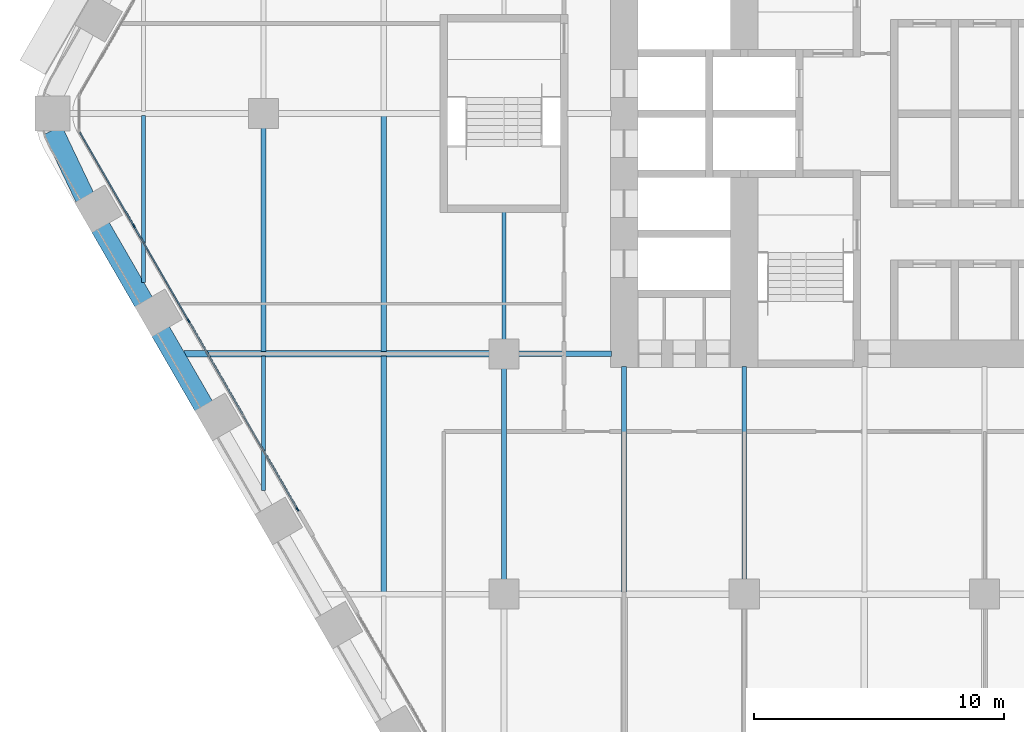
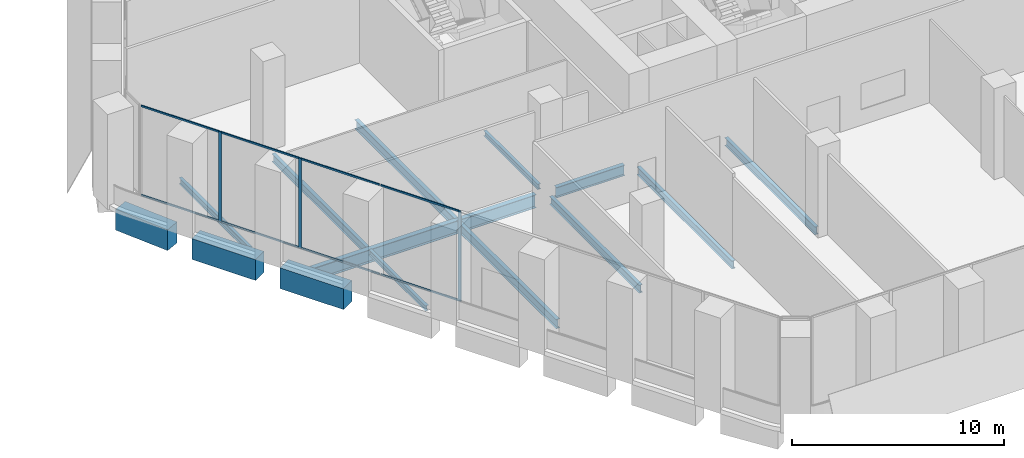
# One storey, part 3 of 29: 14 beams, 11 members, 1 element without a shape of its own.
"""IFC4 building model written with IfcOpenShell, lengths in metres."""

from ifc_helpers import new_model, si_unit, direction, frame, origin, origin_2d, place, context, subcontext, project, spatial, rectangle, i_section, extrude, material, material_profile, profile_set, type_object, element, aggregate, save


model = new_model("IFC4")

# Units and contexts
model_context = context("Model", 3, precision=1e-05, world=origin(), true_north=direction((0.0, 1.0)))
body_context = subcontext(model_context, "Body", "Model", "MODEL_VIEW")
ifc_project = project(units=[si_unit("LENGTHUNIT", "METRE"), si_unit("AREAUNIT", "SQUARE_METRE"), si_unit("VOLUMEUNIT", "CUBIC_METRE"), si_unit("PLANEANGLEUNIT", "RADIAN"), si_unit("MASSUNIT", "GRAM", prefix="KILO")], contexts=[model_context])

# Site, building, storey
site_placement = place(None, origin())
site = spatial("IfcSite", under=ifc_project, at=site_placement, CompositionType="ELEMENT")
building_placement = place(site_placement, origin())
building = spatial("IfcBuilding", under=site, at=building_placement, Name="Kolab Exchange Tower", CompositionType="ELEMENT")
storey_placement = place(building_placement, frame((0.0, 0.0, 33.39990234375)))
storey = spatial("IfcBuildingStorey", under=building, at=storey_placement, Name="L06", CompositionType="ELEMENT", Elevation=33.39990234375)

# Beams
ifc_material_1 = material(Name="Steel S355", Category="steel")
ifc_material_profile_1 = material_profile(ifc_material_1, i_section(OverallWidth=0.1650390625, OverallDepth=0.31005859375, WebThickness=0.005859375, FlangeThickness=0.009765625, at=origin_2d()), Name="W310X39")
ifc_profile_set_1 = profile_set([ifc_material_profile_1], Name="Steel S355")
beam_type_1 = type_object("IfcBeamType", Name="FLOOR BEAM W310X39", PredefinedType="BEAM", material=ifc_profile_set_1)
beam_1_placement = place(storey_placement, frame((-28.800048828125, -15.067626953125, -0.40478515625), z_axis=(0.0, 1.0, 0.0), x_axis=(-1.0, 0.0, 0.0)))
element("IfcBeam", 1, at=beam_1_placement, inside=storey, type_object=beam_type_1, Name="beam/L06/fr/002", PredefinedType="BEAM", context=body_context, shape_type="SweptSolid", body=[
    extrude(i_section(OverallWidth=0.1650390625, OverallDepth=0.31005859375, WebThickness=0.005859375, FlangeThickness=0.009765625, at=origin_2d()), origin(), (0.0, 0.0, 1.0), 5.3740234375),
])
beam_2_placement = place(storey_placement, frame((-19.199951171875, -9.0400390625, -0.40478515625), z_axis=(0.0, 1.0, 0.0), x_axis=(-1.0, 0.0, 0.0)))
element("IfcBeam", 2, at=beam_2_placement, inside=storey, type_object=beam_type_1, Name="beam/L06/fr/014", PredefinedType="BEAM", context=body_context, shape_type="SweptSolid", body=[
    extrude(i_section(OverallWidth=0.1650390625, OverallDepth=0.31005859375, WebThickness=0.005859375, FlangeThickness=0.009765625, at=origin_2d()), origin(), (0.0, 0.0, 1.0), 5.130126953125),
])
ifc_material_profile_2 = material_profile(ifc_material_1, i_section(OverallWidth=0.1708984375, OverallDepth=0.35498046875, WebThickness=0.007080078125, FlangeThickness=0.01171875, at=origin_2d()), Name="W360X51")
ifc_profile_set_2 = profile_set([ifc_material_profile_2], Name="Steel S355")
beam_type_2 = type_object("IfcBeamType", Name="FLOOR BEAM W360X51", PredefinedType="BEAM", material=ifc_profile_set_2)
beam_3_placement = place(storey_placement, frame((-33.60009765625, -6.75390625, -0.427490234375), z_axis=(0.0, 1.0, 0.0), x_axis=(-1.0, 0.0, 0.0)))
element("IfcBeam", 3, at=beam_3_placement, inside=storey, type_object=beam_type_2, Name="beam/L06/fr/000", PredefinedType="BEAM", context=body_context, shape_type="SweptSolid", body=[
    extrude(i_section(OverallWidth=0.1708984375, OverallDepth=0.35498046875, WebThickness=0.007080078125, FlangeThickness=0.01171875, at=origin_2d()), origin(), (0.0, 0.0, 1.0), 6.679931640625),
])
ifc_material_profile_3 = material_profile(ifc_material_1, i_section(OverallWidth=0.18994140625, OverallDepth=0.45703125, WebThickness=0.009033203125, FlangeThickness=0.014404296875, at=origin_2d()), Name="W460X74")
ifc_profile_set_3 = profile_set([ifc_material_profile_3], Name="Steel S355")
beam_type_3 = type_object("IfcBeamType", Name="FLOOR BEAM W460X74", PredefinedType="BEAM", material=ifc_profile_set_3)
beam_4_placement = place(storey_placement, frame((-28.800048828125, -9.506591796875, -0.478515625), z_axis=(0.0, 1.0, 0.0), x_axis=(-1.0, 0.0, 0.0)))
element("IfcBeam", 4, at=beam_4_placement, inside=storey, type_object=beam_type_3, Name="beam/L06/fr/003", PredefinedType="BEAM", context=body_context, shape_type="SweptSolid", body=[
    extrude(i_section(OverallWidth=0.18994140625, OverallDepth=0.45703125, WebThickness=0.009033203125, FlangeThickness=0.014404296875, at=origin_2d()), origin(), (0.0, 0.0, 1.0), 8.946533203125),
])
beam_5_placement = place(storey_placement, frame((-19.199951171875, -18.639892578125, -0.478515625), z_axis=(0.0, 1.0, 0.0), x_axis=(-1.0, 0.0, 0.0)))
element("IfcBeam", 5, at=beam_5_placement, inside=storey, type_object=beam_type_3, Name="beam/L06/fr/013", PredefinedType="BEAM", context=body_context, shape_type="SweptSolid", body=[
    extrude(i_section(OverallWidth=0.18994140625, OverallDepth=0.45703125, WebThickness=0.009033203125, FlangeThickness=0.014404296875, at=origin_2d()), origin(), (0.0, 0.0, 1.0), 8.47998046875),
])
beam_6_placement = place(storey_placement, frame((-14.39990234375, -19.113037109375, -0.478515625), z_axis=(0.0, 1.0, 0.0), x_axis=(-1.0, 0.0, 0.0)))
element("IfcBeam", 6, at=beam_6_placement, inside=storey, type_object=beam_type_3, Name="beam/L06/fr/019", PredefinedType="BEAM", context=body_context, shape_type="SweptSolid", body=[
    extrude(i_section(OverallWidth=0.18994140625, OverallDepth=0.45703125, WebThickness=0.009033203125, FlangeThickness=0.014404296875, at=origin_2d()), origin(), (0.0, 0.0, 1.0), 9.0029296875),
])
beam_7_placement = place(storey_placement, frame((-9.60009765625, -18.639892578125, -0.478515625), z_axis=(0.0, 1.0, 0.0), x_axis=(-1.0, 0.0, 0.0)))
element("IfcBeam", 7, at=beam_7_placement, inside=storey, type_object=beam_type_3, Name="beam/L06/fr/023", PredefinedType="BEAM", context=body_context, shape_type="SweptSolid", body=[
    extrude(i_section(OverallWidth=0.18994140625, OverallDepth=0.45703125, WebThickness=0.009033203125, FlangeThickness=0.014404296875, at=origin_2d()), origin(), (0.0, 0.0, 1.0), 8.52978515625),
])
ifc_material_profile_4 = material_profile(ifc_material_1, i_section(OverallWidth=0.208984375, OverallDepth=0.532958984375, WebThickness=0.01025390625, FlangeThickness=0.015625, at=origin_2d()), Name="W530X92")
ifc_profile_set_4 = profile_set([ifc_material_profile_4], Name="Steel S355")
beam_type_4 = type_object("IfcBeamType", Name="FLOOR BEAM W530X92", PredefinedType="BEAM", material=ifc_profile_set_4)
beam_8_placement = place(storey_placement, frame((-24.0, -19.1259765625, -0.516357421875), z_axis=(0.0, 1.0, 0.0), x_axis=(-1.0, 0.0, 0.0)))
element("IfcBeam", 8, at=beam_8_placement, inside=storey, type_object=beam_type_4, Name="beam/L06/fr/007", PredefinedType="BEAM", context=body_context, shape_type="SweptSolid", body=[
    extrude(i_section(OverallWidth=0.208984375, OverallDepth=0.532958984375, WebThickness=0.01025390625, FlangeThickness=0.015625, at=origin_2d()), origin(), (0.0, 0.0, 1.0), 9.432373046875),
])
beam_9_placement = place(storey_placement, frame((-24.0, -9.506591796875, -0.516357421875), z_axis=(0.0, 1.0, 0.0), x_axis=(-1.0, 0.0, 0.0)))
element("IfcBeam", 9, at=beam_9_placement, inside=storey, type_object=beam_type_4, Name="beam/L06/fr/008", PredefinedType="BEAM", context=body_context, shape_type="SweptSolid", body=[
    extrude(i_section(OverallWidth=0.208984375, OverallDepth=0.532958984375, WebThickness=0.01025390625, FlangeThickness=0.015625, at=origin_2d()), origin(), (0.0, 0.0, 1.0), 9.4326171875),
])
ifc_material_profile_5 = material_profile(ifc_material_1, i_section(OverallWidth=0.22802734375, OverallDepth=0.60791015625, WebThickness=0.01123046875, FlangeThickness=0.017333984375, at=origin_2d()), Name="W610X113")
ifc_profile_set_5 = profile_set([ifc_material_profile_5], Name="Steel S355")
beam_type_5 = type_object("IfcBeamType", Name="FLOOR GIRDER W610X113", PredefinedType="BEAM", material=ifc_profile_set_5)
beam_10_placement = place(storey_placement, frame((-18.639892578125, -9.60009765625, -0.553955078125), z_axis=(1.0, 0.0, 0.0), x_axis=(0.0, 1.0, 0.0)))
element("IfcBeam", 10, at=beam_10_placement, inside=storey, type_object=beam_type_5, Name="beam/L06/gd/007", PredefinedType="BEAM", context=body_context, shape_type="SweptSolid", body=[
    extrude(i_section(OverallWidth=0.22802734375, OverallDepth=0.60791015625, WebThickness=0.01123046875, FlangeThickness=0.017333984375, at=origin_2d()), origin(), (0.0, 0.0, 1.0), 3.72998046875),
])
ifc_material_profile_6 = material_profile(ifc_material_1, i_section(OverallWidth=0.26708984375, OverallDepth=0.761962890625, WebThickness=0.014404296875, FlangeThickness=0.021484375, at=origin_2d()), Name="W760X173")
ifc_profile_set_6 = profile_set([ifc_material_profile_6], Name="Steel S355")
beam_type_6 = type_object("IfcBeamType", Name="FLOOR GIRDER W760X173", PredefinedType="BEAM", material=ifc_profile_set_6)
beam_11_placement = place(storey_placement, frame((-31.9736328125, -9.60009765625, -0.630859375), z_axis=(1.0, 0.0, 0.0), x_axis=(0.0, 1.0, 0.0)))
element("IfcBeam", 11, at=beam_11_placement, inside=storey, type_object=beam_type_6, Name="beam/L06/gd/001", PredefinedType="BEAM", context=body_context, shape_type="SweptSolid", body=[
    extrude(i_section(OverallWidth=0.26708984375, OverallDepth=0.761962890625, WebThickness=0.014404296875, FlangeThickness=0.021484375, at=origin_2d()), origin(), (0.0, 0.0, 1.0), 12.213623046875),
])
ifc_material_2 = material(Name="Concrete C80/95", Category="concrete")
ifc_material_profile_7 = material_profile(ifc_material_2, rectangle(XDim=0.800048828125, YDim=1.199951171875, at=origin_2d()), Name="RC800X1200")
ifc_profile_set_7 = profile_set([ifc_material_profile_7], Name="Concrete C80/95")
beam_type_7 = type_object("IfcBeamType", Name="SPANDREL BEAM 800X1200 C80/95", PredefinedType="BEAM", material=ifc_profile_set_7)
beam_12_placement = place(storey_placement, frame((-31.18359375, -11.69921875, -0.849853515625), z_axis=(-0.499979528911, 0.866037222451, 0.0), x_axis=(-0.866037222451, -0.499979528911, 0.0)))
element("IfcBeam", 12, at=beam_12_placement, inside=storey, type_object=beam_type_7, Name="beam/L06/sp/F5-06", PredefinedType="BEAM", context=body_context, shape_type="SweptSolid", body=[
    extrude(rectangle(XDim=0.800048828125, YDim=1.199951171875, at=origin_2d()), origin(), (0.0, 0.0, 1.0), 3.480224609375),
])
beam_13_placement = place(storey_placement, frame((-33.58349609375, -7.542236328125, -0.849853515625), z_axis=(-0.500009906705, 0.86601968407, 0.0), x_axis=(-0.86601968407, -0.500009906705, 0.0)))
element("IfcBeam", 13, at=beam_13_placement, inside=storey, type_object=beam_type_7, Name="beam/L06/sp/F5-07", PredefinedType="BEAM", context=body_context, shape_type="SweptSolid", body=[
    extrude(rectangle(XDim=0.800048828125, YDim=1.199951171875, at=origin_2d()), origin(), (0.0, 0.0, 1.0), 3.47998046875),
])
beam_14_placement = place(storey_placement, frame((-35.93798828125, -3.35888671875, -0.849853515625), z_axis=(-0.429555669245, 0.903040379507, 0.0), x_axis=(-0.903040379507, -0.429555669245, 0.0)))
element("IfcBeam", 14, at=beam_14_placement, inside=storey, type_object=beam_type_7, Name="beam/L06/sp/F5-08", PredefinedType="BEAM", context=body_context, shape_type="SweptSolid", body=[
    extrude(rectangle(XDim=0.800048828125, YDim=1.199951171875, at=origin_2d()), origin(), (0.0, 0.0, 1.0), 2.984375),
])

# Curtain wall, members
ifc_material_3 = material(Name="Aluminium EN AW-6063 T6", Category="aluminium")
curtain_wall_type = type_object("IfcCurtainWallType", Name="UNITISED LOW ZONE CURTAIN WALL", PredefinedType="NOTDEFINED", material=ifc_material_3)
curtain_wall_placement = place(storey_placement, origin())
curtain_wall = element("IfcCurtainWall", 15, at=curtain_wall_placement, inside=storey, type_object=curtain_wall_type, Name="cw/L06/F5-2", PredefinedType="NOTDEFINED")
ifc_material_profile_8 = material_profile(ifc_material_3, rectangle(XDim=0.06005859375, YDim=0.159912109375, at=origin_2d()), Name="RECT 60X160")
ifc_profile_set_8 = profile_set([ifc_material_profile_8], Name="Aluminium EN AW-6063 T6")
member_type_1 = type_object("IfcMemberType", Name="UNITISED LOW ZONE MULLION 60 X 160", PredefinedType="MULLION", material=ifc_profile_set_8)
member_1_placement = place(storey_placement, frame((-27.44677734375, -15.811767578125, 0.0), z_axis=(0.0, 0.0, 1.0), x_axis=(-0.866025422102, -0.499999968274, 0.0)))
member_1 = element("IfcMember", 16, at=member_1_placement, type_object=member_type_1, Name="CW1 mullion 1", PredefinedType="MULLION", context=body_context, shape_type="SweptSolid", body=[
    extrude(rectangle(XDim=0.06005859375, YDim=0.159912109375, at=origin_2d()), origin(), (0.0, 0.0, 1.0), 5.2001953125),
])
member_2_placement = place(storey_placement, frame((-31.798583984375, -8.27392578125, 0.0), z_axis=(0.0, 0.0, 1.0), x_axis=(-0.866025422102, -0.499999968274, 0.0)))
member_2 = element("IfcMember", 17, at=member_2_placement, type_object=member_type_1, Name="CW1 mullion 3", PredefinedType="MULLION", context=body_context, shape_type="SweptSolid", body=[
    extrude(rectangle(XDim=0.06005859375, YDim=0.159912109375, at=origin_2d()), origin(), (0.0, 0.0, 1.0), 5.2001953125),
])
member_3_placement = place(storey_placement, frame((-33.982177734375, -4.491943359375, 0.0), z_axis=(0.0, 0.0, 1.0), x_axis=(-0.866025422102, -0.499999968274, 0.0)))
member_3 = element("IfcMember", 18, at=member_3_placement, type_object=member_type_1, Name="CW1 mullion 4", PredefinedType="MULLION", context=body_context, shape_type="SweptSolid", body=[
    extrude(rectangle(XDim=0.06005859375, YDim=0.159912109375, at=origin_2d()), origin(), (0.0, 0.0, 1.0), 5.2001953125),
])
ifc_material_profile_9 = material_profile(ifc_material_3, rectangle(XDim=0.06005859375, YDim=0.10009765625, at=origin_2d()), Name="RECT 60X100")
ifc_profile_set_9 = profile_set([ifc_material_profile_9], Name="Aluminium EN AW-6063 T6")
member_type_2 = type_object("IfcMemberType", Name="UNITISED LOW ZONE TRANSOM 60 X 100", PredefinedType="USERDEFINED", material=ifc_profile_set_9)
member_4_placement = place(storey_placement, frame((-27.461669921875, -15.78564453125, 0.030029296875), z_axis=(-0.500000816281, 0.866024932504, 0.0), x_axis=(-0.866024932504, -0.500000816281, 0.0)))
member_4 = element("IfcMember", 19, at=member_4_placement, type_object=member_type_2, Name="CW1 transom 1.1", ObjectType="TRANSOM", PredefinedType="USERDEFINED", context=body_context, shape_type="SweptSolid", body=[
    extrude(rectangle(XDim=0.06005859375, YDim=0.10009765625, at=origin_2d()), origin(), (0.0, 0.0, 1.0), 4.27685546875),
])
member_5_placement = place(storey_placement, frame((-27.461669921875, -15.78564453125, 5.170166015625), z_axis=(-0.500000816281, 0.866024932504, 0.0), x_axis=(-0.866024932504, -0.500000816281, 0.0)))
member_5 = element("IfcMember", 20, at=member_5_placement, type_object=member_type_2, Name="CW1 transom 1.2", ObjectType="TRANSOM", PredefinedType="USERDEFINED", context=body_context, shape_type="SweptSolid", body=[
    extrude(rectangle(XDim=0.06005859375, YDim=0.10009765625, at=origin_2d()), origin(), (0.0, 0.0, 1.0), 4.27685546875),
])
member_6_placement = place(storey_placement, frame((-29.630126953125, -12.02978515625, 0.030029296875), z_axis=(-0.500010313095, 0.866019449435, 0.0), x_axis=(-0.866019449435, -0.500010313095, 0.0)))
member_6 = element("IfcMember", 21, at=member_6_placement, type_object=member_type_2, Name="CW1 transom 2.1", ObjectType="TRANSOM", PredefinedType="USERDEFINED", context=body_context, shape_type="SweptSolid", body=[
    extrude(rectangle(XDim=0.06005859375, YDim=0.10009765625, at=origin_2d()), origin(), (0.0, 0.0, 1.0), 4.30712890625),
])
member_7_placement = place(storey_placement, frame((-29.630126953125, -12.02978515625, 5.170166015625), z_axis=(-0.500010313095, 0.866019449435, 0.0), x_axis=(-0.866019449435, -0.500010313095, 0.0)))
member_7 = element("IfcMember", 22, at=member_7_placement, type_object=member_type_2, Name="CW1 transom 2.2", ObjectType="TRANSOM", PredefinedType="USERDEFINED", context=body_context, shape_type="SweptSolid", body=[
    extrude(rectangle(XDim=0.06005859375, YDim=0.10009765625, at=origin_2d()), origin(), (0.0, 0.0, 1.0), 4.30712890625),
])
member_8_placement = place(storey_placement, frame((-31.813720703125, -8.247802734375, 0.030029296875), z_axis=(-0.499967798808, 0.866043994353, 0.0), x_axis=(-0.866043994353, -0.499967798808, 0.0)))
member_8 = element("IfcMember", 23, at=member_8_placement, type_object=member_type_2, Name="CW1 transom 3.1", ObjectType="TRANSOM", PredefinedType="USERDEFINED", context=body_context, shape_type="SweptSolid", body=[
    extrude(rectangle(XDim=0.06005859375, YDim=0.10009765625, at=origin_2d()), origin(), (0.0, 0.0, 1.0), 4.306884765625),
])
member_9_placement = place(storey_placement, frame((-31.813720703125, -8.247802734375, 5.170166015625), z_axis=(-0.499967798808, 0.866043994353, 0.0), x_axis=(-0.866043994353, -0.499967798808, 0.0)))
member_9 = element("IfcMember", 24, at=member_9_placement, type_object=member_type_2, Name="CW1 transom 3.2", ObjectType="TRANSOM", PredefinedType="USERDEFINED", context=body_context, shape_type="SweptSolid", body=[
    extrude(rectangle(XDim=0.06005859375, YDim=0.10009765625, at=origin_2d()), origin(), (0.0, 0.0, 1.0), 4.306884765625),
])
member_10_placement = place(storey_placement, frame((-33.9970703125, -4.4658203125, 0.030029296875), z_axis=(-0.500043627578, 0.866000213925, 0.0), x_axis=(-0.866000213925, -0.500043627578, 0.0)))
member_10 = element("IfcMember", 25, at=member_10_placement, type_object=member_type_2, Name="CW1 transom 4.1", ObjectType="TRANSOM", PredefinedType="USERDEFINED", context=body_context, shape_type="SweptSolid", body=[
    extrude(rectangle(XDim=0.06005859375, YDim=0.10009765625, at=origin_2d()), origin(), (0.0, 0.0, 1.0), 4.27685546875),
])
member_11_placement = place(storey_placement, frame((-33.9970703125, -4.4658203125, 5.170166015625), z_axis=(-0.500043627578, 0.866000213925, 0.0), x_axis=(-0.866000213925, -0.500043627578, 0.0)))
member_11 = element("IfcMember", 26, at=member_11_placement, type_object=member_type_2, Name="CW1 transom 4.2", ObjectType="TRANSOM", PredefinedType="USERDEFINED", context=body_context, shape_type="SweptSolid", body=[
    extrude(rectangle(XDim=0.06005859375, YDim=0.10009765625, at=origin_2d()), origin(), (0.0, 0.0, 1.0), 4.27685546875),
])
aggregate(curtain_wall, [member_1, member_2, member_3, member_4, member_5, member_6, member_7, member_8, member_9, member_10, member_11])

save(model, "model.ifc")
